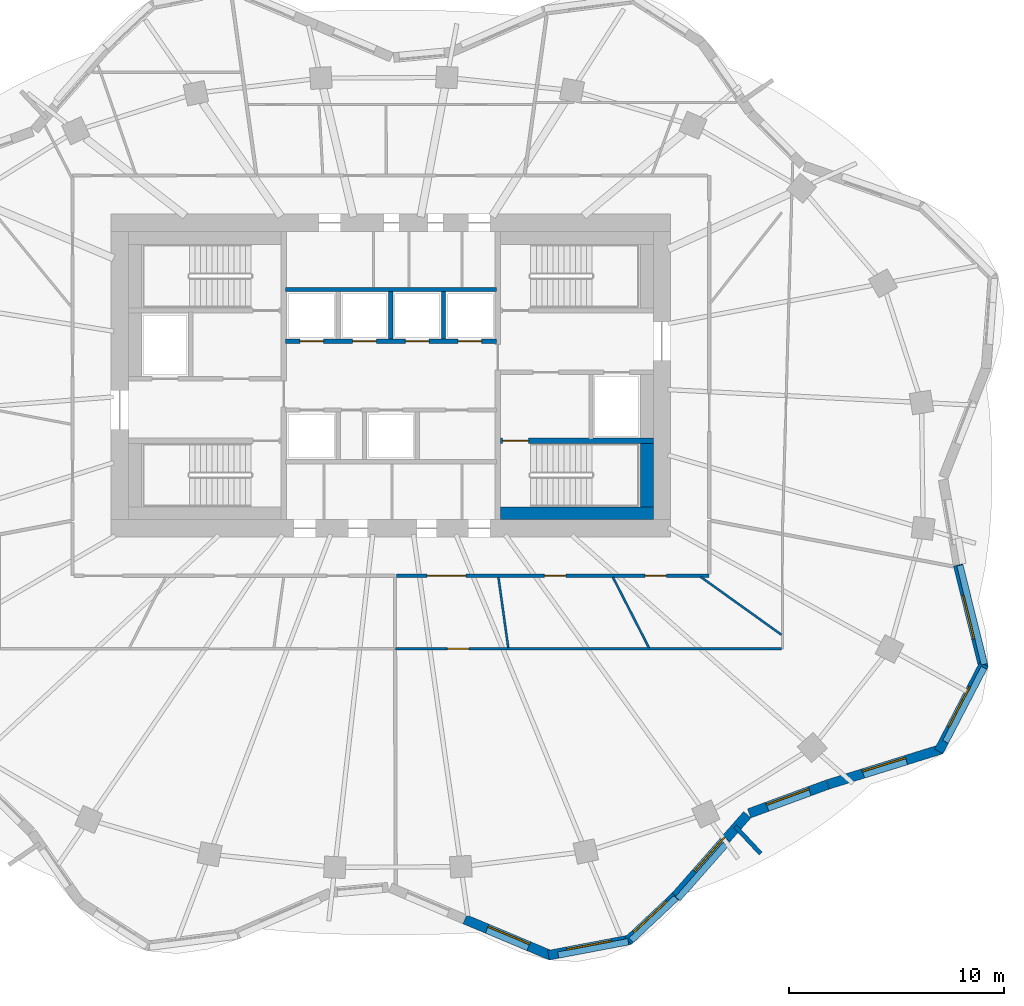
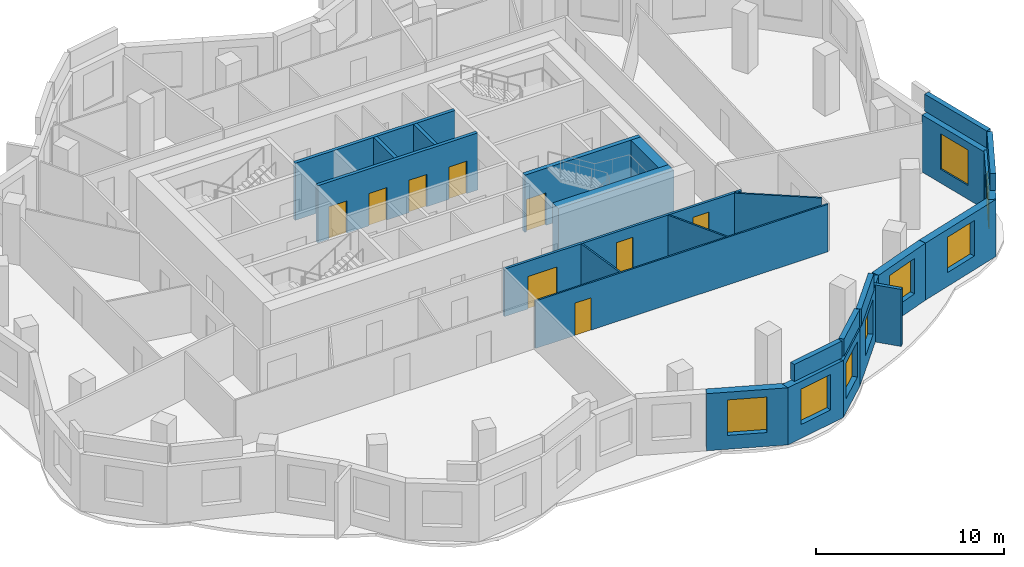
# One storey, part 5 of 9: 26 walls, 9 doors, 8 windows, 17 openings.
"""IFC4 building model written with IfcOpenShell, lengths in metres."""

from ifc_helpers import new_model, si_unit, direction, frame, frame_2d, origin, place, context, subcontext, project, spatial, rectangle, extrude, material, layer, layer_set, type_object, element, fill, save


model = new_model("IFC4")

# Units and contexts
model_context = context("Model", 3, precision=1e-05, world=origin(), true_north=direction((0.0, 1.0)))
body_context = subcontext(model_context, "Body", "Model", "MODEL_VIEW")
ifc_project = project(units=[si_unit("LENGTHUNIT", "METRE"), si_unit("AREAUNIT", "SQUARE_METRE"), si_unit("VOLUMEUNIT", "CUBIC_METRE"), si_unit("PLANEANGLEUNIT", "RADIAN"), si_unit("MASSUNIT", "GRAM", prefix="KILO")], contexts=[model_context])

# Site, building, storey
site_placement = place(None, origin())
site = spatial("IfcSite", under=ifc_project, at=site_placement, CompositionType="ELEMENT")
building_placement = place(site_placement, origin())
building = spatial("IfcBuilding", under=site, at=building_placement, Name="Rubra Terraces Tower", CompositionType="ELEMENT")
storey_placement = place(building_placement, frame((0.0, 0.0, 221.39990234375)))
storey = spatial("IfcBuildingStorey", under=building, at=storey_placement, Name="L54", CompositionType="ELEMENT", Elevation=221.39990234375)

# Wall, opening, window
ifc_material_1 = material(Name="Brick masonry red-brown", Category="masonry")
ifc_layer_1 = layer(ifc_material_1, 0.449951171875)
ifc_layer_set_1 = layer_set([ifc_layer_1], Name="Brick masonry red-brown")
wall_type_1 = type_object("IfcWallType", Name="Brick facade wall 450", PredefinedType="SOLIDWALL", material=ifc_layer_set_1)
wall_1_placement = place(storey_placement, frame((3.44140625, -20.776123046875, 0.0), z_axis=(0.0, 0.0, 1.0), x_axis=(0.921988121387, -0.387218160758, 0.0)))
wall_1 = element("IfcWall", 1, at=wall_1_placement, inside=storey, type_object=wall_type_1, Name="Facade wall L54 bay 32", PredefinedType="SOLIDWALL", context=body_context, shape_type="SweptSolid", body=[
    extrude(rectangle(XDim=4.3466796875, YDim=0.449951171875, at=frame_2d((2.17333984375, 0.0))), origin(), (0.0, 0.0, 1.0), 3.7001953125),
])
opening_1_placement = place(wall_1_placement, frame((1.123291015625, 0.0, 0.89990234375)))
opening_1 = element("IfcOpeningElement", 2, at=opening_1_placement, cuts=wall_1, Name="Opening W1B", PredefinedType="OPENING", context=body_context, shape_type="SweptSolid", body=[
    extrude(rectangle(XDim=2.10009765625, YDim=2.300048828125, at=frame_2d((1.050048828125, 1.14990234375))), frame((0.0, 0.23486328125, 0.0), z_axis=(0.0, -1.0, 0.0), x_axis=(1.0, 0.0, 0.0)), (0.0, 0.0, 1.0), 0.469970703125),
])
ifc_material_2 = material(Name="Clear glass in aluminium frame", Category="aluminium")
window_type = type_object("IfcWindowType", Name="Fixed deep-set window tall storey 2100 x 2300", PartitioningType="SINGLE_PANEL", PredefinedType="WINDOW", material=ifc_material_2)
window_1_placement = place(opening_1_placement, origin())
window_1 = element("IfcWindow", 3, at=window_1_placement, inside=storey, type_object=window_type, Name="Window L54 bay 32", OverallHeight=2.300048828125, OverallWidth=2.10009765625, PartitioningType="SINGLE_PANEL", PredefinedType="WINDOW", context=body_context, shape_type="SweptSolid", body=[
    extrude(rectangle(XDim=2.10009765625, YDim=2.300048828125, at=frame_2d((1.050048828125, 1.14990234375))), frame((0.0, 0.135009765625, 0.0), z_axis=(0.0, -1.0, 0.0), x_axis=(1.0, 0.0, 0.0)), (0.0, 0.0, 1.0), 0.06005859375),
])
fill(opening_1, window_1)

wall_2_placement = place(storey_placement, frame((7.322998046875, -22.447021484375, 0.0), z_axis=(0.0, 0.0, 1.0), x_axis=(0.982420993638, 0.18667884524, 0.0)))
wall_2 = element("IfcWall", 4, at=wall_2_placement, inside=storey, type_object=wall_type_1, Name="Facade wall L54 bay 33", PredefinedType="SOLIDWALL", context=body_context, shape_type="SweptSolid", body=[
    extrude(rectangle(XDim=3.88427734375, YDim=0.449951171875, at=frame_2d((1.942138671875, 0.0))), origin(), (0.0, 0.0, 1.0), 3.7001953125),
])
opening_2_placement = place(wall_2_placement, frame((0.89208984375, 0.0, 0.89990234375)))
opening_2 = element("IfcOpeningElement", 5, at=opening_2_placement, cuts=wall_2, Name="Opening W1B", PredefinedType="OPENING", context=body_context, shape_type="SweptSolid", body=[
    extrude(rectangle(XDim=2.10009765625, YDim=2.300048828125, at=frame_2d((1.050048828125, 1.14990234375))), frame((0.0, 0.23486328125, 0.0), z_axis=(0.0, -1.0, 0.0), x_axis=(1.0, 0.0, 0.0)), (0.0, 0.0, 1.0), 0.469970703125),
])
window_2_placement = place(opening_2_placement, origin())
window_2 = element("IfcWindow", 6, at=window_2_placement, inside=storey, type_object=window_type, Name="Window L54 bay 33", OverallHeight=2.300048828125, OverallWidth=2.10009765625, PartitioningType="SINGLE_PANEL", PredefinedType="WINDOW", context=body_context, shape_type="SweptSolid", body=[
    extrude(rectangle(XDim=2.10009765625, YDim=2.300048828125, at=frame_2d((1.050048828125, 1.14990234375))), frame((0.0, 0.135009765625, 0.0), z_axis=(0.0, -1.0, 0.0), x_axis=(1.0, 0.0, 0.0)), (0.0, 0.0, 1.0), 0.06005859375),
])
fill(opening_2, window_2)

wall_3_placement = place(storey_placement, frame((11.027099609375, -21.779052734375, 0.0), z_axis=(0.0, 0.0, 1.0), x_axis=(0.728871214251, 0.684650825631, 0.0)))
wall_3 = element("IfcWall", 7, at=wall_3_placement, inside=storey, type_object=wall_type_1, Name="Facade wall L54 bay 34", PredefinedType="SOLIDWALL", context=body_context, shape_type="SweptSolid", body=[
    extrude(rectangle(XDim=3.031005859375, YDim=0.449951171875, at=frame_2d((1.515625, 0.0))), origin(), (0.0, 0.0, 1.0), 3.7001953125),
])
opening_3_placement = place(wall_3_placement, frame((0.465576171875, 0.0, 0.89990234375)))
opening_3 = element("IfcOpeningElement", 8, at=opening_3_placement, cuts=wall_3, Name="Opening W1B", PredefinedType="OPENING", context=body_context, shape_type="SweptSolid", body=[
    extrude(rectangle(XDim=2.10009765625, YDim=2.300048828125, at=frame_2d((1.050048828125, 1.14990234375))), frame((0.0, 0.23486328125, 0.0), z_axis=(0.0, -1.0, 0.0), x_axis=(1.0, 0.0, 0.0)), (0.0, 0.0, 1.0), 0.469970703125),
])
window_3_placement = place(opening_3_placement, origin())
window_3 = element("IfcWindow", 9, at=window_3_placement, inside=storey, type_object=window_type, Name="Window L54 bay 34", OverallHeight=2.300048828125, OverallWidth=2.10009765625, PartitioningType="SINGLE_PANEL", PredefinedType="WINDOW", context=body_context, shape_type="SweptSolid", body=[
    extrude(rectangle(XDim=2.10009765625, YDim=2.300048828125, at=frame_2d((1.050048828125, 1.14990234375))), frame((0.0, 0.135009765625, 0.0), z_axis=(0.0, -1.0, 0.0), x_axis=(1.0, 0.0, 0.0)), (0.0, 0.0, 1.0), 0.06005859375),
])
fill(opening_3, window_3)

wall_4_placement = place(storey_placement, frame((13.221435546875, -19.71923828125, 0.0), z_axis=(0.0, 0.0, 1.0), x_axis=(0.660424908916, 0.750892095899, 0.0)))
wall_4 = element("IfcWall", 10, at=wall_4_placement, inside=storey, type_object=wall_type_1, Name="Facade wall L54 bay 35", PredefinedType="SOLIDWALL", context=body_context, shape_type="SweptSolid", body=[
    extrude(rectangle(XDim=5.07080078125, YDim=0.449951171875, at=frame_2d((2.535400390625, 0.0))), origin(), (0.0, 0.0, 1.0), 3.7001953125),
])
opening_4_placement = place(wall_4_placement, frame((1.4853515625, 0.0, 0.89990234375)))
opening_4 = element("IfcOpeningElement", 11, at=opening_4_placement, cuts=wall_4, Name="Opening W1B", PredefinedType="OPENING", context=body_context, shape_type="SweptSolid", body=[
    extrude(rectangle(XDim=2.10009765625, YDim=2.300048828125, at=frame_2d((1.050048828125, 1.14990234375))), frame((0.0, 0.23486328125, 0.0), z_axis=(0.0, -1.0, 0.0), x_axis=(1.0, 0.0, 0.0)), (0.0, 0.0, 1.0), 0.469970703125),
])
window_4_placement = place(opening_4_placement, origin())
window_4 = element("IfcWindow", 12, at=window_4_placement, inside=storey, type_object=window_type, Name="Window L54 bay 35", OverallHeight=2.300048828125, OverallWidth=2.10009765625, PartitioningType="SINGLE_PANEL", PredefinedType="WINDOW", context=body_context, shape_type="SweptSolid", body=[
    extrude(rectangle(XDim=2.10009765625, YDim=2.300048828125, at=frame_2d((1.050048828125, 1.14990234375))), frame((0.0, 0.135009765625, 0.0), z_axis=(0.0, -1.0, 0.0), x_axis=(1.0, 0.0, 0.0)), (0.0, 0.0, 1.0), 0.06005859375),
])
fill(opening_4, window_4)

wall_5_placement = place(storey_placement, frame((16.654052734375, -15.85205078125, 0.0), z_axis=(0.0, 0.0, 1.0), x_axis=(0.938636568132, 0.344907803572, 0.0)))
wall_5 = element("IfcWall", 13, at=wall_5_placement, inside=storey, type_object=wall_type_1, Name="Facade wall L54 bay 36", PredefinedType="SOLIDWALL", context=body_context, shape_type="SweptSolid", body=[
    extrude(rectangle(XDim=3.887451171875, YDim=0.449951171875, at=frame_2d((1.94384765625, 0.0))), origin(), (0.0, 0.0, 1.0), 3.7001953125),
])
opening_5_placement = place(wall_5_placement, frame((0.893798828125, 0.0, 0.89990234375)))
opening_5 = element("IfcOpeningElement", 14, at=opening_5_placement, cuts=wall_5, Name="Opening W1B", PredefinedType="OPENING", context=body_context, shape_type="SweptSolid", body=[
    extrude(rectangle(XDim=2.10009765625, YDim=2.300048828125, at=frame_2d((1.050048828125, 1.14990234375))), frame((0.0, 0.23486328125, 0.0), z_axis=(0.0, -1.0, 0.0), x_axis=(1.0, 0.0, 0.0)), (0.0, 0.0, 1.0), 0.469970703125),
])
window_5_placement = place(opening_5_placement, origin())
window_5 = element("IfcWindow", 15, at=window_5_placement, inside=storey, type_object=window_type, Name="Window L54 bay 36", OverallHeight=2.300048828125, OverallWidth=2.10009765625, PartitioningType="SINGLE_PANEL", PredefinedType="WINDOW", context=body_context, shape_type="SweptSolid", body=[
    extrude(rectangle(XDim=2.10009765625, YDim=2.300048828125, at=frame_2d((1.050048828125, 1.14990234375))), frame((0.0, 0.135009765625, 0.0), z_axis=(0.0, -1.0, 0.0), x_axis=(1.0, 0.0, 0.0)), (0.0, 0.0, 1.0), 0.06005859375),
])
fill(opening_5, window_5)

wall_6_placement = place(storey_placement, frame((20.31591796875, -14.506591796875, 0.0), z_axis=(0.0, 0.0, 1.0), x_axis=(0.954807195185, 0.297225873743, 0.0)))
wall_6 = element("IfcWall", 16, at=wall_6_placement, inside=storey, type_object=wall_type_1, Name="Facade wall L54 bay 37", PredefinedType="SOLIDWALL", context=body_context, shape_type="SweptSolid", body=[
    extrude(rectangle(XDim=5.5263671875, YDim=0.449951171875, at=frame_2d((2.76318359375, 0.0))), origin(), (0.0, 0.0, 1.0), 3.7001953125),
])
opening_6_placement = place(wall_6_placement, frame((1.713134765625, 0.0, 0.89990234375)))
opening_6 = element("IfcOpeningElement", 17, at=opening_6_placement, cuts=wall_6, Name="Opening W1B", PredefinedType="OPENING", context=body_context, shape_type="SweptSolid", body=[
    extrude(rectangle(XDim=2.10009765625, YDim=2.300048828125, at=frame_2d((1.050048828125, 1.14990234375))), frame((0.0, 0.23486328125, 0.0), z_axis=(0.0, -1.0, 0.0), x_axis=(1.0, 0.0, 0.0)), (0.0, 0.0, 1.0), 0.469970703125),
])
window_6_placement = place(opening_6_placement, origin())
window_6 = element("IfcWindow", 18, at=window_6_placement, inside=storey, type_object=window_type, Name="Window L54 bay 37", OverallHeight=2.300048828125, OverallWidth=2.10009765625, PartitioningType="SINGLE_PANEL", PredefinedType="WINDOW", context=body_context, shape_type="SweptSolid", body=[
    extrude(rectangle(XDim=2.10009765625, YDim=2.300048828125, at=frame_2d((1.050048828125, 1.14990234375))), frame((0.0, 0.135009765625, 0.0), z_axis=(0.0, -1.0, 0.0), x_axis=(1.0, 0.0, 0.0)), (0.0, 0.0, 1.0), 0.06005859375),
])
fill(opening_6, window_6)

wall_7_placement = place(storey_placement, frame((25.46533203125, -12.97314453125, 0.0), z_axis=(0.0, 0.0, 1.0), x_axis=(0.461288789222, 0.887250050965, 0.0)))
wall_7 = element("IfcWall", 19, at=wall_7_placement, inside=storey, type_object=wall_type_1, Name="Facade wall L54 bay 38", PredefinedType="SOLIDWALL", context=body_context, shape_type="SweptSolid", body=[
    extrude(rectangle(XDim=4.568115234375, YDim=0.449951171875, at=frame_2d((2.2841796875, 0.0))), origin(), (0.0, 0.0, 1.0), 3.7001953125),
])
opening_7_placement = place(wall_7_placement, frame((1.23388671875, 0.0, 0.89990234375)))
opening_7 = element("IfcOpeningElement", 20, at=opening_7_placement, cuts=wall_7, Name="Opening W1B", PredefinedType="OPENING", context=body_context, shape_type="SweptSolid", body=[
    extrude(rectangle(XDim=2.10009765625, YDim=2.300048828125, at=frame_2d((1.050048828125, 1.14990234375))), frame((0.0, 0.23486328125, 0.0), z_axis=(0.0, -1.0, 0.0), x_axis=(1.0, 0.0, 0.0)), (0.0, 0.0, 1.0), 0.469970703125),
])
window_7_placement = place(opening_7_placement, origin())
window_7 = element("IfcWindow", 21, at=window_7_placement, inside=storey, type_object=window_type, Name="Window L54 bay 38", OverallHeight=2.300048828125, OverallWidth=2.10009765625, PartitioningType="SINGLE_PANEL", PredefinedType="WINDOW", context=body_context, shape_type="SweptSolid", body=[
    extrude(rectangle(XDim=2.10009765625, YDim=2.300048828125, at=frame_2d((1.050048828125, 1.14990234375))), frame((0.0, 0.135009765625, 0.0), z_axis=(0.0, -1.0, 0.0), x_axis=(1.0, 0.0, 0.0)), (0.0, 0.0, 1.0), 0.06005859375),
])
fill(opening_7, window_7)

wall_8_placement = place(storey_placement, frame((27.552001953125, -9.07177734375, 0.0), z_axis=(0.0, 0.0, 1.0), x_axis=(-0.240629941406, 0.970616933347, 0.0)))
wall_8 = element("IfcWall", 22, at=wall_8_placement, inside=storey, type_object=wall_type_1, Name="Facade wall L54 bay 39", PredefinedType="SOLIDWALL", context=body_context, shape_type="SweptSolid", body=[
    extrude(rectangle(XDim=4.91455078125, YDim=0.449951171875, at=frame_2d((2.457275390625, 0.0))), origin(), (0.0, 0.0, 1.0), 3.7001953125),
])
opening_8_placement = place(wall_8_placement, frame((1.407470703125, 0.0, 0.89990234375)))
opening_8 = element("IfcOpeningElement", 23, at=opening_8_placement, cuts=wall_8, Name="Opening W1B", PredefinedType="OPENING", context=body_context, shape_type="SweptSolid", body=[
    extrude(rectangle(XDim=2.10009765625, YDim=2.300048828125, at=frame_2d((1.050048828125, 1.14990234375))), frame((0.0, 0.23486328125, 0.0), z_axis=(0.0, -1.0, 0.0), x_axis=(1.0, 0.0, 0.0)), (0.0, 0.0, 1.0), 0.469970703125),
])
window_8_placement = place(opening_8_placement, origin())
window_8 = element("IfcWindow", 24, at=window_8_placement, inside=storey, type_object=window_type, Name="Window L54 bay 39", OverallHeight=2.300048828125, OverallWidth=2.10009765625, PartitioningType="SINGLE_PANEL", PredefinedType="WINDOW", context=body_context, shape_type="SweptSolid", body=[
    extrude(rectangle(XDim=2.10009765625, YDim=2.300048828125, at=frame_2d((1.050048828125, 1.14990234375))), frame((0.0, 0.135009765625, 0.0), z_axis=(0.0, -1.0, 0.0), x_axis=(1.0, 0.0, 0.0)), (0.0, 0.0, 1.0), 0.06005859375),
])
fill(opening_8, window_8)

# Walls
ifc_layer_2 = layer(ifc_material_1, 0.300048828125)
ifc_layer_set_2 = layer_set([ifc_layer_2], Name="Brick masonry red-brown")
wall_type_2 = type_object("IfcWallType", Name="Brick parapet 300", PredefinedType="PARAPET", material=ifc_layer_set_2)
wall_9_placement = place(storey_placement, frame((7.777587890625, -22.43701171875, 3.900146484375), z_axis=(0.0, 0.0, 1.0), x_axis=(0.98241446716, 0.186713188382, 0.0)))
element("IfcWall", 25, at=wall_9_placement, inside=storey, type_object=wall_type_2, Name="Parapet L54 bay 33", PredefinedType="PARAPET", context=body_context, shape_type="SweptSolid", body=[
    extrude(rectangle(XDim=3.318603515625, YDim=0.300048828125, at=frame_2d((1.6591796875, 0.0))), origin(), (0.0, 0.0, 1.0), 1.099853515625),
])
wall_10_placement = place(storey_placement, frame((11.163818359375, -21.75341796875, 3.900146484375), z_axis=(0.0, 0.0, 1.0), x_axis=(0.72886475222, 0.684657704967, 0.0)))
element("IfcWall", 26, at=wall_10_placement, inside=storey, type_object=wall_type_2, Name="Parapet L54 bay 34", PredefinedType="PARAPET", context=body_context, shape_type="SweptSolid", body=[
    extrude(rectangle(XDim=2.877197265625, YDim=0.300048828125, at=frame_2d((1.4384765625, 0.0))), origin(), (0.0, 0.0, 1.0), 1.099853515625),
])
wall_11_placement = place(storey_placement, frame((13.338623046875, -19.822265625, 3.900146484375), z_axis=(0.0, 0.0, 1.0), x_axis=(0.660445690116, 0.7508738179, 0.0)))
element("IfcWall", 27, at=wall_11_placement, inside=storey, type_object=wall_type_2, Name="Parapet L54 bay 35", PredefinedType="PARAPET", context=body_context, shape_type="SweptSolid", body=[
    extrude(rectangle(XDim=3.353271484375, YDim=0.300048828125, at=frame_2d((1.6767578125, 0.0))), origin(), (0.0, 0.0, 1.0), 1.099853515625),
])
wall_12_placement = place(storey_placement, frame((25.781982421875, -12.52685546875, 3.900146484375), z_axis=(0.0, 0.0, 1.0), x_axis=(0.461218103562, 0.88728679746, 0.0)))
element("IfcWall", 28, at=wall_12_placement, inside=storey, type_object=wall_type_2, Name="Parapet L54 bay 38", PredefinedType="PARAPET", context=body_context, shape_type="SweptSolid", body=[
    extrude(rectangle(XDim=3.8828125, YDim=0.300048828125, at=frame_2d((1.94140625, 0.0))), origin(), (0.0, 0.0, 1.0), 1.099853515625),
])
wall_13_placement = place(storey_placement, frame((27.591796875, -8.9208984375, 3.900146484375), z_axis=(0.0, 0.0, 1.0), x_axis=(-0.240669381496, 0.970607154729, 0.0)))
element("IfcWall", 29, at=wall_13_placement, inside=storey, type_object=wall_type_2, Name="Parapet L54 bay 39", PredefinedType="PARAPET", context=body_context, shape_type="SweptSolid", body=[
    extrude(rectangle(XDim=4.741455078125, YDim=0.300048828125, at=frame_2d((2.37060546875, 0.0))), origin(), (0.0, 0.0, 1.0), 1.099853515625),
])
ifc_layer_3 = layer(ifc_material_1, 0.199951171875)
ifc_layer_set_3 = layer_set([ifc_layer_3], Name="Brick masonry red-brown")
wall_type_3 = type_object("IfcWallType", Name="Brick wind fin 200", PredefinedType="SOLIDWALL", material=ifc_layer_set_3)
wall_14_placement = place(storey_placement, frame((15.9951171875, -16.444091796875, 0.0), z_axis=(0.0, 0.0, 1.0), x_axis=(0.683852936488, -0.729619874494, 0.0)))
element("IfcWall", 30, at=wall_14_placement, inside=storey, type_object=wall_type_3, Name="Wind fin L54 21", PredefinedType="SOLIDWALL", context=body_context, shape_type="SweptSolid", body=[
    extrude(rectangle(XDim=1.749755859375, YDim=0.199951171875, at=frame_2d((0.875, 0.0))), origin(), (0.0, 0.0, 1.0), 3.7001953125),
])

# Wall, openings, doors
ifc_material_3 = material(Name="Plasterboard on steel stud, mineral wool infill", Category="steel")
ifc_layer_4 = layer(ifc_material_3, 0.14990234375)
ifc_layer_set_4 = layer_set([ifc_layer_4], Name="Plasterboard on steel stud, mineral wool infill")
wall_type_4 = type_object("IfcWallType", Name="CORRIDOR PARTITION 150", PredefinedType="PARTITIONING", material=ifc_layer_set_4)
wall_15_placement = place(storey_placement, frame((0.2646484375, -4.800048828125, 0.0), z_axis=(0.0, 0.0, 1.0), x_axis=(1.0, 0.0, 0.0)))
wall_15 = element("IfcWall", 31, at=wall_15_placement, inside=storey, type_object=wall_type_4, Name="PARTITION", PredefinedType="PARTITIONING", context=body_context, shape_type="SweptSolid", body=[
    extrude(rectangle(XDim=14.535400390625, YDim=0.14990234375, at=frame_2d((7.267578125, 0.0))), origin(), (0.0, 0.0, 1.0), 3.083984375),
])
opening_9_placement = place(wall_15_placement, frame((1.425048828125, 0.0, 0.0)))
opening_9 = element("IfcOpeningElement", 32, at=opening_9_placement, cuts=wall_15, Name="Opening 54-109", PredefinedType="OPENING", context=body_context, shape_type="SweptSolid", body=[
    extrude(rectangle(XDim=1.800048828125, YDim=2.10009765625, at=frame_2d((0.89990234375, 1.050048828125))), frame((0.0, 0.0849609375, 0.0), z_axis=(0.0, -1.0, 0.0), x_axis=(1.0, 0.0, 0.0)), (0.0, 0.0, 1.0), 0.169921875),
])
opening_10_placement = place(wall_15_placement, frame((6.8720703125, 0.0, 0.0)))
opening_10 = element("IfcOpeningElement", 33, at=opening_10_placement, cuts=wall_15, Name="Opening 54-111", PredefinedType="OPENING", context=body_context, shape_type="SweptSolid", body=[
    extrude(rectangle(XDim=1.0, YDim=2.39990234375, at=frame_2d((0.5, 1.199951171875))), frame((0.0, 0.0849609375, 0.0), z_axis=(0.0, -1.0, 0.0), x_axis=(1.0, 0.0, 0.0)), (0.0, 0.0, 1.0), 0.169921875),
])
opening_11_placement = place(wall_15_placement, frame((11.5380859375, 0.0, 0.0)))
opening_11 = element("IfcOpeningElement", 34, at=opening_11_placement, cuts=wall_15, Name="Opening 54-112", PredefinedType="OPENING", context=body_context, shape_type="SweptSolid", body=[
    extrude(rectangle(XDim=1.0, YDim=2.39990234375, at=frame_2d((0.5, 1.199951171875))), frame((0.0, 0.0849609375, 0.0), z_axis=(0.0, -1.0, 0.0), x_axis=(1.0, 0.0, 0.0)), (0.0, 0.0, 1.0), 0.169921875),
])
ifc_material_4 = material(Name="Glazed aluminium meeting door leaf", Category="aluminium")
door_type_1 = type_object("IfcDoorType", Name="MEETING ROOM GLAZED DOOR 1000 X 2400", OperationType="SINGLE_SWING_LEFT", PredefinedType="DOOR", material=ifc_material_4)
door_1_placement = place(opening_10_placement, origin())
door_1 = element("IfcDoor", 35, at=door_1_placement, inside=storey, type_object=door_type_1, Name="DOOR 54-111", OperationType="SINGLE_SWING_RIGHT", OverallHeight=2.39990234375, OverallWidth=1.0, PredefinedType="DOOR", context=body_context, shape_type="SweptSolid", body=[
    extrude(rectangle(XDim=1.0, YDim=2.39990234375, at=frame_2d((0.5, 1.199951171875))), frame((0.0, 0.02490234375, 0.0), z_axis=(0.0, -1.0, 0.0), x_axis=(1.0, 0.0, 0.0)), (0.0, 0.0, 1.0), 0.050048828125),
])
fill(opening_10, door_1)
door_2_placement = place(opening_11_placement, origin())
door_2 = element("IfcDoor", 36, at=door_2_placement, inside=storey, type_object=door_type_1, Name="DOOR 54-112", OperationType="SINGLE_SWING_RIGHT", OverallHeight=2.39990234375, OverallWidth=1.0, PredefinedType="DOOR", context=body_context, shape_type="SweptSolid", body=[
    extrude(rectangle(XDim=1.0, YDim=2.39990234375, at=frame_2d((0.5, 1.199951171875))), frame((0.0, 0.02490234375, 0.0), z_axis=(0.0, -1.0, 0.0), x_axis=(1.0, 0.0, 0.0)), (0.0, 0.0, 1.0), 0.050048828125),
])
fill(opening_11, door_2)
ifc_material_5 = material(Name="Painted timber door leaf, double", Category="wood")
door_type_2 = type_object("IfcDoorType", Name="ROOM DOUBLE DOOR 1800 X 2100", OperationType="DOUBLE_DOOR_SINGLE_SWING", PredefinedType="DOOR", material=ifc_material_5)
door_3_placement = place(opening_9_placement, origin())
door_3 = element("IfcDoor", 37, at=door_3_placement, inside=storey, type_object=door_type_2, Name="DOOR 54-109", OperationType="DOUBLE_DOOR_SINGLE_SWING", OverallHeight=2.10009765625, OverallWidth=1.800048828125, PredefinedType="DOOR", context=body_context, shape_type="SweptSolid", body=[
    extrude(rectangle(XDim=1.800048828125, YDim=2.10009765625, at=frame_2d((0.89990234375, 1.050048828125))), frame((0.0, 0.02490234375, 0.0), z_axis=(0.0, -1.0, 0.0), x_axis=(1.0, 0.0, 0.0)), (0.0, 0.0, 1.0), 0.050048828125),
])
fill(opening_9, door_3)

# Walls
ifc_material_6 = material(Name="Concrete C40", Category="concrete")
ifc_layer_5 = layer(ifc_material_6, 0.60009765625)
ifc_layer_set_5 = layer_set([ifc_layer_5], Name="Concrete C40")
wall_type_5 = type_object("IfcWallType", Name="Core lining wall 600 concrete", PredefinedType="SOLIDWALL", material=ifc_layer_set_5)
wall_16_placement = place(storey_placement, frame((11.89990234375, 1.35009765625, 0.0), z_axis=(0.0, 0.0, 1.0), x_axis=(0.0, -1.0, 0.0)))
element("IfcWall", 38, at=wall_16_placement, inside=storey, type_object=wall_type_5, Name="CORE LINING WALL L54", PredefinedType="SOLIDWALL", context=body_context, shape_type="SweptSolid", body=[
    extrude(rectangle(XDim=2.9501953125, YDim=0.60009765625, at=frame_2d((1.47509765625, 0.0))), origin(), (0.0, 0.0, 1.0), 3.7001953125),
])
wall_17_placement = place(storey_placement, frame((12.199951171875, -1.89990234375, 0.0), z_axis=(0.0, 0.0, 1.0), x_axis=(-1.0, 0.0, 0.0)))
element("IfcWall", 39, at=wall_17_placement, inside=storey, type_object=wall_type_5, Name="CORE LINING WALL L54", PredefinedType="SOLIDWALL", context=body_context, shape_type="SweptSolid", body=[
    extrude(rectangle(XDim=7.099853515625, YDim=0.60009765625, at=frame_2d((3.5498046875, 0.0))), origin(), (0.0, 0.0, 1.0), 3.7001953125),
])

# Wall, openings, doors
ifc_material_7 = material(Name="Concrete C30", Category="concrete")
ifc_layer_6 = layer(ifc_material_7, 0.199951171875)
ifc_layer_set_6 = layer_set([ifc_layer_6], Name="Concrete C30")
wall_type_6 = type_object("IfcWallType", Name="Core wall 200 concrete", PredefinedType="SOLIDWALL", material=ifc_layer_set_6)
wall_18_placement = place(storey_placement, frame((-4.89990234375, 6.10009765625, 0.0), z_axis=(0.0, 0.0, 1.0), x_axis=(1.0, 0.0, 0.0)))
wall_18 = element("IfcWall", 40, at=wall_18_placement, inside=storey, type_object=wall_type_6, Name="LIFT SHAFT WALL L54", PredefinedType="SOLIDWALL", context=body_context, shape_type="SweptSolid", body=[
    extrude(rectangle(XDim=9.7998046875, YDim=0.199951171875, at=frame_2d((4.89990234375, 0.0))), origin(), (0.0, 0.0, 1.0), 3.7001953125),
])
opening_12_placement = place(wall_18_placement, frame((0.675048828125, 0.0, 0.0)))
opening_12 = element("IfcOpeningElement", 41, at=opening_12_placement, cuts=wall_18, Name="Opening L54.C17", PredefinedType="OPENING", context=body_context, shape_type="SweptSolid", body=[
    extrude(rectangle(XDim=1.10009765625, YDim=2.10009765625, at=frame_2d((0.550048828125, 1.050048828125))), frame((0.0, 0.10986328125, 0.0), z_axis=(0.0, -1.0, 0.0), x_axis=(1.0, 0.0, 0.0)), (0.0, 0.0, 1.0), 0.219970703125),
])
opening_13_placement = place(wall_18_placement, frame((3.125, 0.0, 0.0)))
opening_13 = element("IfcOpeningElement", 42, at=opening_13_placement, cuts=wall_18, Name="Opening L54.C18", PredefinedType="OPENING", context=body_context, shape_type="SweptSolid", body=[
    extrude(rectangle(XDim=1.10009765625, YDim=2.10009765625, at=frame_2d((0.550048828125, 1.050048828125))), frame((0.0, 0.10986328125, 0.0), z_axis=(0.0, -1.0, 0.0), x_axis=(1.0, 0.0, 0.0)), (0.0, 0.0, 1.0), 0.219970703125),
])
opening_14_placement = place(wall_18_placement, frame((5.574951171875, 0.0, 0.0)))
opening_14 = element("IfcOpeningElement", 43, at=opening_14_placement, cuts=wall_18, Name="Opening L54.C19", PredefinedType="OPENING", context=body_context, shape_type="SweptSolid", body=[
    extrude(rectangle(XDim=1.10009765625, YDim=2.10009765625, at=frame_2d((0.550048828125, 1.050048828125))), frame((0.0, 0.10986328125, 0.0), z_axis=(0.0, -1.0, 0.0), x_axis=(1.0, 0.0, 0.0)), (0.0, 0.0, 1.0), 0.219970703125),
])
opening_15_placement = place(wall_18_placement, frame((8.02490234375, 0.0, 0.0)))
opening_15 = element("IfcOpeningElement", 44, at=opening_15_placement, cuts=wall_18, Name="Opening L54.C20", PredefinedType="OPENING", context=body_context, shape_type="SweptSolid", body=[
    extrude(rectangle(XDim=1.10009765625, YDim=2.10009765625, at=frame_2d((0.550048828125, 1.050048828125))), frame((0.0, 0.10986328125, 0.0), z_axis=(0.0, -1.0, 0.0), x_axis=(1.0, 0.0, 0.0)), (0.0, 0.0, 1.0), 0.219970703125),
])
ifc_material_8 = material(Name="Stainless steel", Category="steel")
door_type_3 = type_object("IfcDoorType", Name="Lift landing door 1100x2100", OperationType="NOTDEFINED", PredefinedType="DOOR", material=ifc_material_8)
door_4_placement = place(opening_12_placement, origin())
door_4 = element("IfcDoor", 45, at=door_4_placement, inside=storey, type_object=door_type_3, Name="Landing door HB3", OperationType="SLIDING_TO_RIGHT", OverallHeight=2.10009765625, OverallWidth=1.10009765625, PredefinedType="DOOR", context=body_context, shape_type="SweptSolid", body=[
    extrude(rectangle(XDim=1.10009765625, YDim=2.10009765625, at=frame_2d((0.550048828125, 1.050048828125))), frame((0.0, 0.02490234375, 0.0), z_axis=(0.0, -1.0, 0.0), x_axis=(1.0, 0.0, 0.0)), (0.0, 0.0, 1.0), 0.050048828125),
])
fill(opening_12, door_4)
door_5_placement = place(opening_13_placement, origin())
door_5 = element("IfcDoor", 46, at=door_5_placement, inside=storey, type_object=door_type_3, Name="Landing door HB4", OperationType="SLIDING_TO_LEFT", OverallHeight=2.10009765625, OverallWidth=1.10009765625, PredefinedType="DOOR", context=body_context, shape_type="SweptSolid", body=[
    extrude(rectangle(XDim=1.10009765625, YDim=2.10009765625, at=frame_2d((0.550048828125, 1.050048828125))), frame((0.0, 0.02490234375, 0.0), z_axis=(0.0, -1.0, 0.0), x_axis=(1.0, 0.0, 0.0)), (0.0, 0.0, 1.0), 0.050048828125),
])
fill(opening_13, door_5)
door_6_placement = place(opening_14_placement, origin())
door_6 = element("IfcDoor", 47, at=door_6_placement, inside=storey, type_object=door_type_3, Name="Landing door HB5", OperationType="SLIDING_TO_RIGHT", OverallHeight=2.10009765625, OverallWidth=1.10009765625, PredefinedType="DOOR", context=body_context, shape_type="SweptSolid", body=[
    extrude(rectangle(XDim=1.10009765625, YDim=2.10009765625, at=frame_2d((0.550048828125, 1.050048828125))), frame((0.0, 0.02490234375, 0.0), z_axis=(0.0, -1.0, 0.0), x_axis=(1.0, 0.0, 0.0)), (0.0, 0.0, 1.0), 0.050048828125),
])
fill(opening_14, door_6)
door_7_placement = place(opening_15_placement, origin())
door_7 = element("IfcDoor", 48, at=door_7_placement, inside=storey, type_object=door_type_3, Name="Landing door HB6", OperationType="SLIDING_TO_LEFT", OverallHeight=2.10009765625, OverallWidth=1.10009765625, PredefinedType="DOOR", context=body_context, shape_type="SweptSolid", body=[
    extrude(rectangle(XDim=1.10009765625, YDim=2.10009765625, at=frame_2d((0.550048828125, 1.050048828125))), frame((0.0, 0.02490234375, 0.0), z_axis=(0.0, -1.0, 0.0), x_axis=(1.0, 0.0, 0.0)), (0.0, 0.0, 1.0), 0.050048828125),
])
fill(opening_15, door_7)

# Walls
wall_19_placement = place(storey_placement, frame((-4.89990234375, 8.5, 0.0), z_axis=(0.0, 0.0, 1.0), x_axis=(1.0, 0.0, 0.0)))
element("IfcWall", 49, at=wall_19_placement, inside=storey, type_object=wall_type_6, Name="LIFT SHAFT WALL L54", PredefinedType="SOLIDWALL", context=body_context, shape_type="SweptSolid", body=[
    extrude(rectangle(XDim=9.7998046875, YDim=0.199951171875, at=frame_2d((4.89990234375, 0.0))), origin(), (0.0, 0.0, 1.0), 3.7001953125),
])
for number, where, z_axis, x_axis, name in (
    (50, (0.0, 6.199951171875, 0.0), (0.0, 0.0, 1.0), (0.0, 1.0, 0.0), "LIFT SHAFT WALL L54"),
    (51, (2.449951171875, 6.199951171875, 0.0), (0.0, 0.0, 1.0), (0.0, 1.0, 0.0), "LIFT SHAFT WALL L54"),
):
    element("IfcWall", number, at=place(storey_placement, frame(where, z_axis=z_axis, x_axis=x_axis)), inside=storey, type_object=wall_type_6, Name=name, PredefinedType="SOLIDWALL", context=body_context, shape_type="SweptSolid", body=[
        extrude(rectangle(XDim=2.199951171875, YDim=0.199951171875, at=frame_2d((1.10009765625, 0.0))), origin(), (0.0, 0.0, 1.0), 3.7001953125),
    ])

# Wall, opening, door
ifc_material_9 = material(Name="Plasterboard on steel stud", Category="steel")
ifc_layer_7 = layer(ifc_material_9, 0.10009765625)
ifc_layer_set_7 = layer_set([ifc_layer_7], Name="Plasterboard on steel stud")
wall_type_7 = type_object("IfcWallType", Name="ROOM PARTITION 100", PredefinedType="PARTITIONING", material=ifc_layer_set_7)
wall_20_placement = place(storey_placement, frame((18.14990234375, -8.199951171875, 0.0), z_axis=(0.0, 0.0, 1.0), x_axis=(-1.0, 0.0, 0.0)))
wall_20 = element("IfcWall", 52, at=wall_20_placement, inside=storey, type_object=wall_type_7, Name="PARTITION", PredefinedType="PARTITIONING", context=body_context, shape_type="SweptSolid", body=[
    extrude(rectangle(XDim=17.931640625, YDim=0.10009765625, at=frame_2d((8.9658203125, 0.0))), origin(), (0.0, 0.0, 1.0), 3.083984375),
])
opening_16_placement = place(wall_20_placement, frame((14.52490234375, 0.0, 0.0)))
opening_16 = element("IfcOpeningElement", 53, at=opening_16_placement, cuts=wall_20, Name="Opening 54-110", PredefinedType="OPENING", context=body_context, shape_type="SweptSolid", body=[
    extrude(rectangle(XDim=1.0, YDim=2.10009765625, at=frame_2d((0.5, 1.050048828125))), frame((0.0, 0.06005859375, 0.0), z_axis=(0.0, -1.0, 0.0), x_axis=(1.0, 0.0, 0.0)), (0.0, 0.0, 1.0), 0.1201171875),
])
ifc_material_10 = material(Name="Painted timber door leaf", Category="wood")
door_type_4 = type_object("IfcDoorType", Name="ROOM DOOR 1000 X 2100", OperationType="SINGLE_SWING_LEFT", PredefinedType="DOOR", material=ifc_material_10)
door_8_placement = place(opening_16_placement, origin())
door_8 = element("IfcDoor", 54, at=door_8_placement, inside=storey, type_object=door_type_4, Name="DOOR 54-110", OperationType="SINGLE_SWING_LEFT", OverallHeight=2.10009765625, OverallWidth=1.0, PredefinedType="DOOR", context=body_context, shape_type="SweptSolid", body=[
    extrude(rectangle(XDim=1.0, YDim=2.10009765625, at=frame_2d((0.5, 1.050048828125))), frame((0.0, 0.02490234375, 0.0), z_axis=(0.0, -1.0, 0.0), x_axis=(1.0, 0.0, 0.0)), (0.0, 0.0, 1.0), 0.050048828125),
])
fill(opening_16, door_8)

# Walls
wall_21_placement = place(storey_placement, frame((5.00048828125, -4.874267578125, 0.0), z_axis=(0.0, 0.0, 1.0), x_axis=(0.138020926677, -0.990429312874, 0.0)))
element("IfcWall", 55, at=wall_21_placement, inside=storey, type_object=wall_type_7, Name="PARTITION", PredefinedType="PARTITIONING", context=body_context, shape_type="SweptSolid", body=[
    extrude(rectangle(XDim=3.307861328125, YDim=0.10009765625, at=frame_2d((1.65380859375, 0.0))), origin(), (0.0, 0.0, 1.0), 3.083984375),
])
wall_22_placement = place(storey_placement, frame((10.3173828125, -4.86669921875, 0.0), z_axis=(0.0, 0.0, 1.0), x_axis=(0.455573240095, -0.890198305384, 0.0)))
element("IfcWall", 56, at=wall_22_placement, inside=storey, type_object=wall_type_7, Name="PARTITION", PredefinedType="PARTITIONING", context=body_context, shape_type="SweptSolid", body=[
    extrude(rectangle(XDim=3.694580078125, YDim=0.10009765625, at=frame_2d((1.84716796875, 0.0))), origin(), (0.0, 0.0, 1.0), 3.083984375),
])
wall_23_placement = place(storey_placement, frame((14.38232421875, -4.84375, 0.0), z_axis=(0.0, 0.0, 1.0), x_axis=(0.812905436978, -0.582395699273, 0.0)))
element("IfcWall", 57, at=wall_23_placement, inside=storey, type_object=wall_type_7, Name="PARTITION", PredefinedType="PARTITIONING", context=body_context, shape_type="SweptSolid", body=[
    extrude(rectangle(XDim=4.646484375, YDim=0.10009765625, at=frame_2d((2.3232421875, 0.0))), origin(), (0.0, 0.0, 1.0), 3.083984375),
])

# Wall, opening, door
ifc_layer_8 = layer(ifc_material_6, 0.25)
ifc_layer_set_8 = layer_set([ifc_layer_8], Name="Concrete C40")
wall_type_8 = type_object("IfcWallType", Name="Stair enclosure wall 250 concrete", PredefinedType="SOLIDWALL", material=ifc_layer_set_8)
wall_24_placement = place(storey_placement, frame((12.199951171875, 1.47509765625, 0.0), z_axis=(0.0, 0.0, 1.0), x_axis=(-1.0, 0.0, 0.0)))
wall_24 = element("IfcWall", 58, at=wall_24_placement, inside=storey, type_object=wall_type_8, Name="STAIR WALL L54", PredefinedType="SOLIDWALL", context=body_context, shape_type="SweptSolid", body=[
    extrude(rectangle(XDim=7.099853515625, YDim=0.25, at=frame_2d((3.5498046875, 0.0))), origin(), (0.0, 0.0, 1.0), 3.7001953125),
])
opening_17_placement = place(wall_24_placement, frame((5.800048828125, 0.0, 0.0)))
opening_17 = element("IfcOpeningElement", 59, at=opening_17_placement, cuts=wall_24, Name="Opening L54.C10", PredefinedType="OPENING", context=body_context, shape_type="SweptSolid", body=[
    extrude(rectangle(XDim=1.199951171875, YDim=2.10009765625, at=frame_2d((0.60009765625, 1.050048828125))), frame((0.0, 0.135009765625, 0.0), z_axis=(0.0, -1.0, 0.0), x_axis=(1.0, 0.0, 0.0)), (0.0, 0.0, 1.0), 0.27001953125),
])
ifc_material_11 = material(Name="Painted steel", Category="steel")
door_type_5 = type_object("IfcDoorType", Name="Fire door 1200x2100 single", OperationType="NOTDEFINED", PredefinedType="DOOR", material=ifc_material_11)
door_9_placement = place(opening_17_placement, origin())
door_9 = element("IfcDoor", 60, at=door_9_placement, inside=storey, type_object=door_type_5, Name="Stair door S4", OperationType="SINGLE_SWING_RIGHT", OverallHeight=2.10009765625, OverallWidth=1.199951171875, PredefinedType="DOOR", context=body_context, shape_type="SweptSolid", body=[
    extrude(rectangle(XDim=1.199951171875, YDim=2.10009765625, at=frame_2d((0.60009765625, 1.050048828125))), frame((0.0, 0.02490234375, 0.0), z_axis=(0.0, -1.0, 0.0), x_axis=(1.0, 0.0, 0.0)), (0.0, 0.0, 1.0), 0.050048828125),
])
fill(opening_17, door_9)

save(model, "model.ifc")
